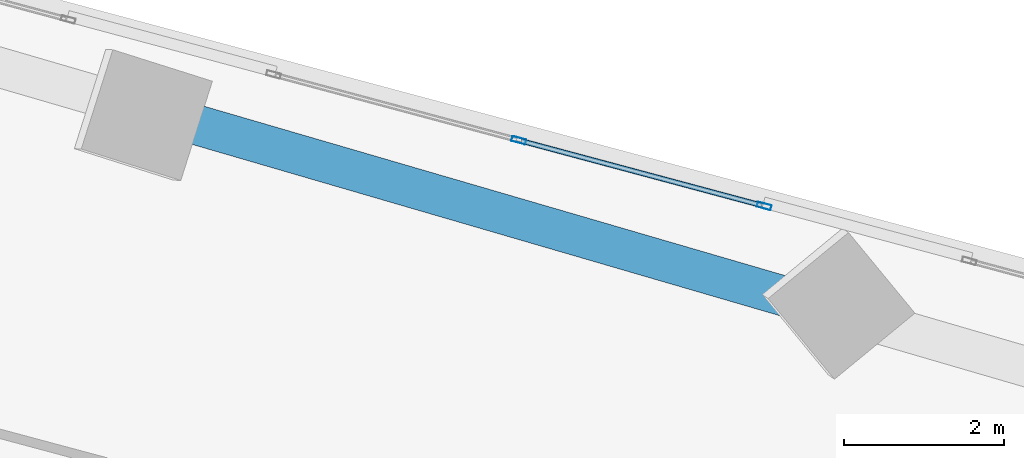
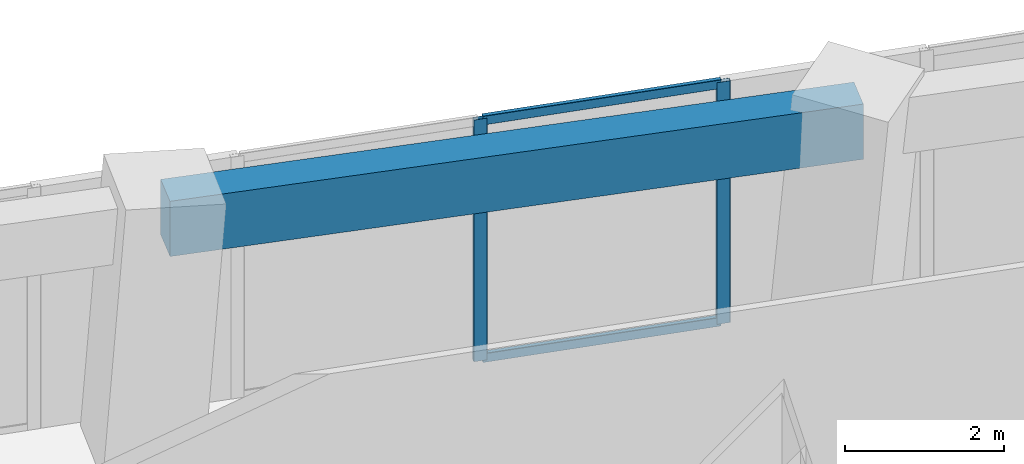
# One storey, part 14 of 26: 4 members, 1 beam, 1 element without a shape of its own.
"""IFC4 building model written with IfcOpenShell, lengths in metres."""

from ifc_helpers import new_model, si_unit, direction, frame, origin, origin_2d, place, context, subcontext, project, spatial, rectangle, hollow_rectangle, extrude, source, transform, mapped, material, material_profile, profile_set, type_object, element, aggregate, save


model = new_model("IFC4")

# Units and contexts
model_context = context("Model", 3, precision=1e-05, world=origin(), true_north=direction((0.0, 1.0)))
body_context = subcontext(model_context, "Body", "Model", "MODEL_VIEW")
ifc_project = project(units=[si_unit("LENGTHUNIT", "METRE"), si_unit("AREAUNIT", "SQUARE_METRE"), si_unit("VOLUMEUNIT", "CUBIC_METRE"), si_unit("PLANEANGLEUNIT", "RADIAN"), si_unit("MASSUNIT", "GRAM", prefix="KILO")], contexts=[model_context])

# Site, building, storey
site_placement = place(None, origin())
site = spatial("IfcSite", under=ifc_project, at=site_placement, CompositionType="ELEMENT")
building_placement = place(site_placement, origin())
building = spatial("IfcBuilding", under=site, at=building_placement, Name="Torre Montelarca", CompositionType="ELEMENT")
storey_placement = place(building_placement, frame((0.0, 0.0, 104.199951171875)))
storey = spatial("IfcBuildingStorey", under=building, at=storey_placement, Name="L23", CompositionType="ELEMENT", Elevation=104.199951171875)

# Beam
ifc_material_1 = material(Name="Concrete C55/67", Category="concrete")
ifc_material_profile_1 = material_profile(ifc_material_1, rectangle(XDim=0.5, YDim=0.85009765625, at=origin_2d()), Name="RCB500X850", Category="concrete")
ifc_profile_set_1 = profile_set([ifc_material_profile_1], Name="Concrete C55/67")
beam_type = type_object("IfcBeamType", Name="BM-SP-RC850-EXT", PredefinedType="SPANDREL", material=ifc_profile_set_1)
shared_shape_1 = source(origin(), body_context, "Body", "SweptSolid", [
    extrude(rectangle(XDim=0.5, YDim=0.85009765625, at=origin_2d()), origin(), (0.0, 0.0, 1.0), 9.000244140625),
])
beam_placement = place(storey_placement, frame((22.379150390625, 47.524169921875, 3.53515625), z_axis=(0.960048595589, -0.279833332733, 0.0), x_axis=(0.279833332733, 0.960048595589, 0.0)))
element("IfcBeam", 1, at=beam_placement, inside=storey, type_object=beam_type, Name="L23 Grid Girder X 18.0-27.0 at Y=47.1", PredefinedType="SPANDREL", context=body_context, shape_type="MappedRepresentation", body=[
    mapped(shared_shape_1, transform((0.0, 0.0, 0.0), scale=1.0)),
])

# Curtain wall, members
ifc_material_2 = material(Name="Insulated low-E laminated glass", Category="glass")
curtain_wall_type = type_object("IfcCurtainWallType", Name="CW-SYS-Z1", PredefinedType="USERDEFINED", material=ifc_material_2)
curtain_wall_placement = place(storey_placement, origin())
curtain_wall = element("IfcCurtainWall", 2, at=curtain_wall_placement, inside=storey, type_object=curtain_wall_type, Name="L23 Curtain Wall Run CW-T3-L23-E08-B3", ObjectType="UNITISED GLAZING", PredefinedType="USERDEFINED")
ifc_material_3 = material(Name="Anodised aluminium AA 6063-T6", Category="aluminium")
ifc_material_profile_2 = material_profile(ifc_material_3, hollow_rectangle(XDim=0.06494140625, YDim=0.139892578125, WallThickness=0.00390625, InnerFilletRadius=0.00390625, OuterFilletRadius=0.008056640625, at=origin_2d()), Name="ALU65X140X4", Category="aluminium")
ifc_profile_set_2 = profile_set([ifc_material_profile_2], Name="Anodised aluminium AA 6063-T6")
member_type_1 = type_object("IfcMemberType", Name="CWT-ALU140", PredefinedType="USERDEFINED", material=ifc_profile_set_2)
shared_shape_2 = source(origin(), body_context, "Body", "SweptSolid", [
    extrude(hollow_rectangle(XDim=0.06494140625, YDim=0.139892578125, WallThickness=0.00390625, InnerFilletRadius=0.00390625, OuterFilletRadius=0.008056640625, at=origin_2d()), origin(), (0.0, 0.0, 1.0), 3.10693359375),
])
member_1_placement = place(storey_placement, frame((29.817626953125, 46.408203125, 0.032470703125), z_axis=(-0.965918586106, 0.258846064321, 0.0), x_axis=(-0.258846064321, -0.965918586106, 0.0)))
member_1 = element("IfcMember", 3, at=member_1_placement, type_object=member_type_1, Name="CW transom 1.1", ObjectType="TRANSOM", PredefinedType="USERDEFINED", context=body_context, shape_type="MappedRepresentation", body=[
    mapped(shared_shape_2, transform((0.0, 0.0, 0.0), scale=1.0)),
])
member_2_placement = place(storey_placement, frame((29.817626953125, 46.408203125, 3.6875), z_axis=(-0.965918586106, 0.258846064321, 0.0), x_axis=(-0.258846064321, -0.965918586106, 0.0)))
member_2 = element("IfcMember", 4, at=member_2_placement, type_object=member_type_1, Name="CW transom 1.2", ObjectType="TRANSOM", PredefinedType="USERDEFINED", context=body_context, shape_type="MappedRepresentation", body=[
    mapped(shared_shape_2, transform((0.0, 0.0, 0.0), scale=1.0)),
])
ifc_material_profile_3 = material_profile(ifc_material_3, hollow_rectangle(XDim=0.06494140625, YDim=0.179931640625, WallThickness=0.00390625, InnerFilletRadius=0.00390625, OuterFilletRadius=0.008056640625, at=origin_2d()), Name="ALU65X180X4", Category="aluminium")
ifc_profile_set_3 = profile_set([ifc_material_profile_3], Name="Anodised aluminium AA 6063-T6")
member_type_2 = type_object("IfcMemberType", Name="CWM-ALU180", PredefinedType="MULLION", material=ifc_profile_set_3)
shared_shape_3 = source(origin(), body_context, "Body", "SweptSolid", [
    extrude(hollow_rectangle(XDim=0.06494140625, YDim=0.179931640625, WallThickness=0.00390625, InnerFilletRadius=0.00390625, OuterFilletRadius=0.008056640625, at=origin_2d()), origin(), (0.0, 0.0, 1.0), 3.719970703125),
])
member_3_placement = place(storey_placement, frame((29.848876953125, 46.39990234375, 0.0), z_axis=(0.0, 0.0, 1.0), x_axis=(-0.258821099911, -0.965925275703, 0.0)))
member_3 = element("IfcMember", 5, at=member_3_placement, type_object=member_type_2, Name="CW mullion 1", PredefinedType="MULLION", context=body_context, shape_type="MappedRepresentation", body=[
    mapped(shared_shape_3, transform((0.0, 0.0, 0.0), scale=1.0)),
])
member_4_placement = place(storey_placement, frame((26.78515625, 47.220703125, 0.0), z_axis=(0.0, 0.0, 1.0), x_axis=(-0.258821099911, -0.965925275703, 0.0)))
member_4 = element("IfcMember", 6, at=member_4_placement, type_object=member_type_2, Name="CW mullion 2", PredefinedType="MULLION", context=body_context, shape_type="MappedRepresentation", body=[
    mapped(shared_shape_3, transform((0.0, 0.0, 0.0), scale=1.0)),
])
aggregate(curtain_wall, [member_3, member_4, member_1, member_2])

save(model, "model.ifc")
